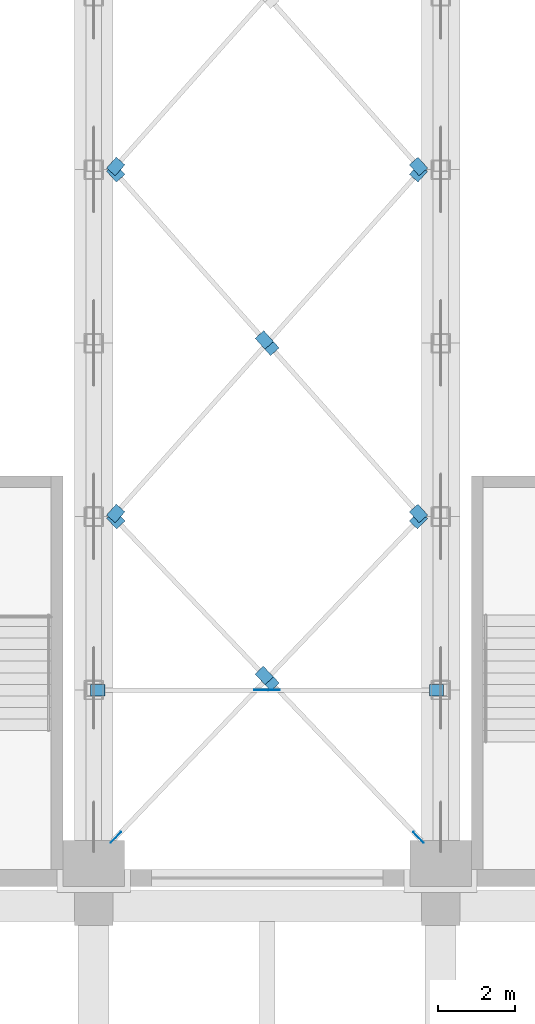
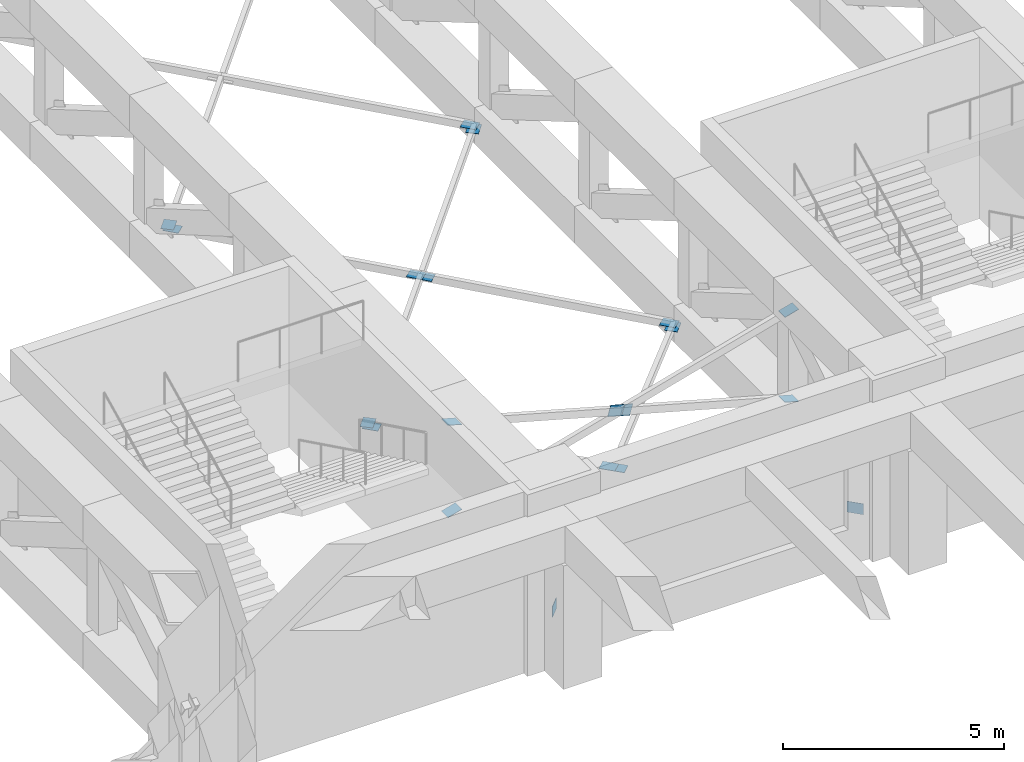
# One storey, part 59 of 76: 20 discrete accessories.
"""IFC4 building model written with IfcOpenShell, lengths in metres."""

from ifc_helpers import new_model, si_unit, direction, frame, origin, place, context, subcontext, project, spatial, polyline, outline, extrude, material, layer, layer_set, type_object, element, save


model = new_model("IFC4")

# Units and contexts
model_context = context("Model", 3, precision=1e-05, world=origin(), true_north=direction((0.0, 1.0)))
body_context = subcontext(model_context, "Body", "Model", "MODEL_VIEW")
ifc_project = project(units=[si_unit("LENGTHUNIT", "METRE"), si_unit("AREAUNIT", "SQUARE_METRE"), si_unit("VOLUMEUNIT", "CUBIC_METRE"), si_unit("PLANEANGLEUNIT", "RADIAN"), si_unit("MASSUNIT", "GRAM", prefix="KILO")], contexts=[model_context])

# Site, building, storey
site_placement = place(None, origin())
site = spatial("IfcSite", under=ifc_project, at=site_placement, CompositionType="ELEMENT")
building_placement = place(site_placement, origin())
building = spatial("IfcBuilding", under=site, at=building_placement, Name="Aravalli Gate Trade Fair Centre", CompositionType="ELEMENT")
storey_placement = place(building_placement, frame((0.0, 0.0, 10.0)))
storey = spatial("IfcBuildingStorey", under=building, at=storey_placement, Name="L02", CompositionType="ELEMENT", Elevation=10.0)

# Discrete accessories
ifc_material = material(Name="Steel E350", Category="steel")
ifc_layer = layer(ifc_material, 0.011962890625)
ifc_layer_set = layer_set([ifc_layer], Name="Steel E350")
discrete_accessory_type = type_object("IfcDiscreteAccessoryType", Name="Gusset plate 300 x 300 x 12", PredefinedType="USERDEFINED", material=ifc_layer_set)
discrete_accessory_1_placement = place(storey_placement, frame((24.70263671875, 46.8212890625, 0.35009765625), z_axis=(-0.723924035453, 0.689879693058, 0.0), x_axis=(-0.689879693058, -0.723924035453, 0.0)))
element("IfcDiscreteAccessory", 1, at=discrete_accessory_1_placement, inside=storey, type_object=discrete_accessory_type, Name="Gusset plate FT plan brace bay 3 cell 1A end A", ObjectType="GUSSET PLATE", PredefinedType="USERDEFINED", context=body_context, shape_type="SweptSolid", body=[
    extrude(outline(polyline([(0.0, 0.0), (0.3800764595457875, 0.0), (0.3800764595457875, 0.29980468750000006), (0.0, 0.29980468750000006), (0.0, 0.0)])), origin(), (0.0, 0.0, -1.0), 0.011962890625),
])
discrete_accessory_2_placement = place(storey_placement, frame((32.401611328125, 54.67919921875, 0.506103515625), z_axis=(0.0, 0.0, 1.0), x_axis=(0.689558973725, 0.72422953665, 0.0)))
element("IfcDiscreteAccessory", 2, at=discrete_accessory_2_placement, inside=storey, type_object=discrete_accessory_type, Name="Gusset plate FT plan brace bay 3 cell 1A end B", ObjectType="GUSSET PLATE", PredefinedType="USERDEFINED", context=body_context, shape_type="SweptSolid", body=[
    extrude(outline(polyline([(0.0, 0.0), (0.38025323611355255, 0.0), (0.3801836391719176, 0.2999562349519024), (0.0002755662689057359, 0.2999477704590008), (0.0, 0.0)])), origin(), (0.0, 0.0, -1.0), 0.011962890625),
])
discrete_accessory_3_placement = place(storey_placement, frame((24.598388671875, 54.67919921875, 0.506103515625), z_axis=(0.0, 0.0, 1.0), x_axis=(-0.689558973725, 0.72422953665, 0.0)))
element("IfcDiscreteAccessory", 3, at=discrete_accessory_3_placement, inside=storey, type_object=discrete_accessory_type, Name="Gusset plate FT plan brace bay 3 cell 1B half 1 end A", ObjectType="GUSSET PLATE", PredefinedType="USERDEFINED", context=body_context, shape_type="SweptSolid", body=[
    extrude(outline(polyline([(0.0, 0.0), (0.38025323611355255, 0.0), (0.3801836391719176, -0.2999562349519024), (0.0002755662689057359, -0.2999477704590008), (0.0, 0.0)])), origin(), (0.0, 0.0, -1.0), 0.011962890625),
])
discrete_accessory_4_placement = place(storey_placement, frame((28.1845703125, 50.913818359375, 0.506103515625), z_axis=(0.0, 0.0, 1.0), x_axis=(0.689542837451, -0.7242449001, 0.0)))
element("IfcDiscreteAccessory", 4, at=discrete_accessory_4_placement, inside=storey, type_object=discrete_accessory_type, Name="Gusset plate FT plan brace bay 3 cell 1B half 1 end B", ObjectType="GUSSET PLATE", PredefinedType="USERDEFINED", context=body_context, shape_type="SweptSolid", body=[
    extrude(outline(polyline([(0.0, 0.0), (0.37990807299730794, 2.7755575615628914e-17), (0.37997098680265656, 0.2999562364280967), (-0.00010543161395085154, 0.2997794188255333), (0.0, 0.0)])), origin(), (0.0, 0.0, -1.0), 0.011962890625),
])
discrete_accessory_5_placement = place(storey_placement, frame((28.598388671875, 50.479248046875, 0.506103515625), z_axis=(0.0, 0.0, 1.0), x_axis=(-0.689879693058, 0.723924035453, 0.0)))
element("IfcDiscreteAccessory", 5, at=discrete_accessory_5_placement, inside=storey, type_object=discrete_accessory_type, Name="Gusset plate FT plan brace bay 3 cell 1B half 2 end A", ObjectType="GUSSET PLATE", PredefinedType="USERDEFINED", context=body_context, shape_type="SweptSolid", body=[
    extrude(outline(polyline([(0.0, 0.0), (0.3800764595457874, -2.7755575615628914e-17), (0.38005074061082667, -0.3001246023598962), (0.00014270872447724736, -0.2999478630934282), (0.0, 0.0)])), origin(), (0.0, 0.0, -1.0), 0.011962890625),
])
discrete_accessory_6_placement = place(storey_placement, frame((32.288818359375, 46.81298828125, 0.35009765625), z_axis=(-0.7242449001, -0.689542837451, 0.0), x_axis=(0.689542837451, -0.7242449001, 0.0)))
element("IfcDiscreteAccessory", 6, at=discrete_accessory_6_placement, inside=storey, type_object=discrete_accessory_type, Name="Gusset plate FT plan brace bay 3 cell 1B half 2 end B", ObjectType="GUSSET PLATE", PredefinedType="USERDEFINED", context=body_context, shape_type="SweptSolid", body=[
    extrude(outline(polyline([(0.0, 0.0), (0.37990807299730794, 0.0), (0.37990807299730794, 0.2998046875), (0.0, 0.2998046875), (0.0, 0.0)])), origin(), (0.0, 0.0, -1.0), 0.011962890625),
])
discrete_accessory_7_placement = place(storey_placement, frame((24.811279296875, 55.12451171875, 0.506103515625), z_axis=(0.0, 0.0, 1.0), x_axis=(-0.664084476604, -0.747657547232, 0.0)))
element("IfcDiscreteAccessory", 7, at=discrete_accessory_7_placement, inside=storey, type_object=discrete_accessory_type, Name="Gusset plate FT plan brace bay 3 cell 2A end A", ObjectType="GUSSET PLATE", PredefinedType="USERDEFINED", context=body_context, shape_type="SweptSolid", body=[
    extrude(outline(polyline([(0.0, 0.0), (0.37976684369219504, 0.0), (0.3798169109426651, -0.30004644014049164), (-0.0002945963295681586, -0.30002603655879534), (0.0, 0.0)])), origin(), (0.0, 0.0, -1.0), 0.011962890625),
])
discrete_accessory_8_placement = place(storey_placement, frame((32.412841796875, 63.676025390625, 0.506103515625), z_axis=(0.0, 0.0, 1.0), x_axis=(0.664124608323, 0.747621899505, 0.0)))
element("IfcDiscreteAccessory", 8, at=discrete_accessory_8_placement, inside=storey, type_object=discrete_accessory_type, Name="Gusset plate FT plan brace bay 3 cell 2A end B", ObjectType="GUSSET PLATE", PredefinedType="USERDEFINED", context=body_context, shape_type="SweptSolid", body=[
    extrude(outline(polyline([(0.0, 0.0), (0.3801115078198438, 0.0), (0.38004533471122237, 0.3000464370207233), (0.0002784915661413201, 0.30002605193986837), (0.0, 0.0)])), origin(), (0.0, 0.0, -1.0), 0.011962890625),
])
discrete_accessory_9_placement = place(storey_placement, frame((24.587158203125, 63.676025390625, 0.506103515625), z_axis=(0.0, 0.0, 1.0), x_axis=(-0.664124608323, 0.747621899505, 0.0)))
element("IfcDiscreteAccessory", 9, at=discrete_accessory_9_placement, inside=storey, type_object=discrete_accessory_type, Name="Gusset plate FT plan brace bay 3 cell 2B half 1 end A", ObjectType="GUSSET PLATE", PredefinedType="USERDEFINED", context=body_context, shape_type="SweptSolid", body=[
    extrude(outline(polyline([(0.0, 0.0), (0.3801115078198438, 0.0), (0.38004533471122237, -0.3000464370207233), (0.0002784915661413201, -0.30002605193986837), (0.0, 0.0)])), origin(), (0.0, 0.0, -1.0), 0.011962890625),
])
discrete_accessory_10_placement = place(storey_placement, frame((28.188720703125, 59.62451171875, 0.506103515625), z_axis=(0.0, 0.0, 1.0), x_axis=(0.664084476604, -0.747657547232, 0.0)))
element("IfcDiscreteAccessory", 10, at=discrete_accessory_10_placement, inside=storey, type_object=discrete_accessory_type, Name="Gusset plate FT plan brace bay 3 cell 2B half 1 end B", ObjectType="GUSSET PLATE", PredefinedType="USERDEFINED", context=body_context, shape_type="SweptSolid", body=[
    extrude(outline(polyline([(0.0, 0.0), (0.37976684369219504, 0.0), (0.3798169109426651, 0.30004644014049164), (-0.0002945963295681586, 0.30002603655879534), (0.0, 0.0)])), origin(), (0.0, 0.0, -1.0), 0.011962890625),
])
discrete_accessory_11_placement = place(storey_placement, frame((28.587158203125, 59.176025390625, 0.506103515625), z_axis=(0.0, 0.0, 1.0), x_axis=(-0.664124608323, 0.747621899505, 0.0)))
element("IfcDiscreteAccessory", 11, at=discrete_accessory_11_placement, inside=storey, type_object=discrete_accessory_type, Name="Gusset plate FT plan brace bay 3 cell 2B half 2 end A", ObjectType="GUSSET PLATE", PredefinedType="USERDEFINED", context=body_context, shape_type="SweptSolid", body=[
    extrude(outline(polyline([(0.0, 0.0), (0.3801115078198438, 0.0), (0.38004533471122237, -0.3000464370207233), (0.0002784915661413201, -0.30002605193986837), (0.0, 0.0)])), origin(), (0.0, 0.0, -1.0), 0.011962890625),
])
discrete_accessory_12_placement = place(storey_placement, frame((32.188720703125, 55.12451171875, 0.506103515625), z_axis=(0.0, 0.0, 1.0), x_axis=(0.664084476604, -0.747657547232, 0.0)))
element("IfcDiscreteAccessory", 12, at=discrete_accessory_12_placement, inside=storey, type_object=discrete_accessory_type, Name="Gusset plate FT plan brace bay 3 cell 2B half 2 end B", ObjectType="GUSSET PLATE", PredefinedType="USERDEFINED", context=body_context, shape_type="SweptSolid", body=[
    extrude(outline(polyline([(0.0, 0.0), (0.37976684369219504, 0.0), (0.3798169109426651, 0.30004644014049164), (-0.0002945963295681586, 0.30002603655879534), (0.0, 0.0)])), origin(), (0.0, 0.0, -1.0), 0.011962890625),
])
discrete_accessory_13_placement = place(storey_placement, frame((24.811279296875, 64.12451171875, 0.506103515625), z_axis=(0.0, 0.0, 1.0), x_axis=(-0.664084476604, -0.747657547232, 0.0)))
element("IfcDiscreteAccessory", 13, at=discrete_accessory_13_placement, inside=storey, type_object=discrete_accessory_type, Name="Gusset plate FT plan brace bay 3 cell 3A end A", ObjectType="GUSSET PLATE", PredefinedType="USERDEFINED", context=body_context, shape_type="SweptSolid", body=[
    extrude(outline(polyline([(0.0, 0.0), (0.37976684369219504, 0.0), (0.3798169109426651, -0.30004644014049164), (-0.0002945963295681586, -0.30002603655879534), (0.0, 0.0)])), origin(), (0.0, 0.0, -1.0), 0.011962890625),
])
discrete_accessory_14_placement = place(storey_placement, frame((32.188720703125, 64.12451171875, 0.506103515625), z_axis=(0.0, 0.0, 1.0), x_axis=(0.664084476604, -0.747657547232, 0.0)))
element("IfcDiscreteAccessory", 14, at=discrete_accessory_14_placement, inside=storey, type_object=discrete_accessory_type, Name="Gusset plate FT plan brace bay 3 cell 3B half 2 end B", ObjectType="GUSSET PLATE", PredefinedType="USERDEFINED", context=body_context, shape_type="SweptSolid", body=[
    extrude(outline(polyline([(0.0, 0.0), (0.37976684369219504, 0.0), (0.3798169109426651, 0.30004644014049164), (-0.0002945963295681586, 0.30002603655879534), (0.0, 0.0)])), origin(), (0.0, 0.0, -1.0), 0.011962890625),
])
discrete_accessory_15_placement = place(storey_placement, frame((24.287353515625, 50.35009765625, 1.086181640625), z_axis=(-0.268008474485, 0.0, 0.963416554562), x_axis=(-0.963416554562, 0.0, -0.268008474485)))
element("IfcDiscreteAccessory", 15, at=discrete_accessory_15_placement, inside=storey, type_object=discrete_accessory_type, Name="Gusset plate FT vertical brace bay 3 frame 1A end A", ObjectType="GUSSET PLATE", PredefinedType="USERDEFINED", context=body_context, shape_type="SweptSolid", body=[
    extrude(outline(polyline([(0.0, 0.0), (0.3798635129757732, 0.0), (0.3798635129757732, -0.29980468749999994), (0.0, -0.29980468749999994), (0.0, 0.0)])), origin(), (0.0, 0.0, -1.0), 0.011962890625),
])
discrete_accessory_16_placement = place(storey_placement, frame((32.709228515625, 50.35009765625, 3.425537109375), z_axis=(-0.267246240794, 0.0, 0.963628272095), x_axis=(0.963628272095, 0.0, 0.267246240794)))
element("IfcDiscreteAccessory", 16, at=discrete_accessory_16_placement, inside=storey, type_object=discrete_accessory_type, Name="Gusset plate FT vertical brace bay 3 frame 1A end B", ObjectType="GUSSET PLATE", PredefinedType="USERDEFINED", context=body_context, shape_type="SweptSolid", body=[
    extrude(outline(polyline([(0.0, 0.0), (0.3800334092561849, 0.0), (0.3800334092561849, 0.2998046875), (0.0, 0.2998046875), (0.0, 0.0)])), origin(), (0.0, 0.0, -1.0), 0.011962890625),
])
discrete_accessory_17_placement = place(storey_placement, frame((24.290771484375, 50.35009765625, 3.425537109375), z_axis=(0.267246240794, 0.0, 0.963628272095), x_axis=(-0.963628272095, 0.0, 0.267246240794)))
element("IfcDiscreteAccessory", 17, at=discrete_accessory_17_placement, inside=storey, type_object=discrete_accessory_type, Name="Gusset plate FT vertical brace bay 3 frame 1B half 1 end A", ObjectType="GUSSET PLATE", PredefinedType="USERDEFINED", context=body_context, shape_type="SweptSolid", body=[
    extrude(outline(polyline([(0.0, 0.0), (0.3800334092561849, 0.0), (0.3800334092561849, -0.2998046875), (0.0, -0.2998046875), (0.0, 0.0)])), origin(), (0.0, 0.0, -1.0), 0.011962890625),
])
discrete_accessory_18_placement = place(storey_placement, frame((28.1708984375, 50.493896484375, 2.185791015625), z_axis=(0.0, -1.0, 0.0), x_axis=(0.963416554562, 0.0, -0.268008474485)))
element("IfcDiscreteAccessory", 18, at=discrete_accessory_18_placement, inside=storey, type_object=discrete_accessory_type, Name="Gusset plate FT vertical brace bay 3 frame 1B half 1 end B", ObjectType="GUSSET PLATE", PredefinedType="USERDEFINED", context=body_context, shape_type="SweptSolid", body=[
    extrude(outline(polyline([(0.0, 0.0), (0.3798635129757732, 0.0), (0.37977611372313164, 0.30001464568042957), (-8.73992526415901e-05, 0.30001464568042957), (0.0, 0.0)])), origin(), (0.0, 0.0, -1.0), 0.011962890625),
])
discrete_accessory_19_placement = place(storey_placement, frame((28.748779296875, 50.506103515625, 2.025146484375), z_axis=(0.0, 1.0, 0.0), x_axis=(-0.963416554562, 0.0, 0.268008474485)))
element("IfcDiscreteAccessory", 19, at=discrete_accessory_19_placement, inside=storey, type_object=discrete_accessory_type, Name="Gusset plate FT vertical brace bay 3 frame 1B half 2 end A", ObjectType="GUSSET PLATE", PredefinedType="USERDEFINED", context=body_context, shape_type="SweptSolid", body=[
    extrude(outline(polyline([(0.0, 0.0), (0.3798635129757732, 0.0), (0.3799509122284148, 0.30001464568042957), (8.73992526415901e-05, 0.30001464568042957), (0.0, 0.0)])), origin(), (0.0, 0.0, -1.0), 0.011962890625),
])
discrete_accessory_20_placement = place(storey_placement, frame((32.712646484375, 50.35009765625, 1.086181640625), z_axis=(0.268008474485, 0.0, 0.963416554562), x_axis=(0.963416554562, 0.0, -0.268008474485)))
element("IfcDiscreteAccessory", 20, at=discrete_accessory_20_placement, inside=storey, type_object=discrete_accessory_type, Name="Gusset plate FT vertical brace bay 3 frame 1B half 2 end B", ObjectType="GUSSET PLATE", PredefinedType="USERDEFINED", context=body_context, shape_type="SweptSolid", body=[
    extrude(outline(polyline([(0.0, 0.0), (0.3798635129757732, 0.0), (0.3798635129757732, 0.29980468749999994), (0.0, 0.29980468749999994), (0.0, 0.0)])), origin(), (0.0, 0.0, -1.0), 0.011962890625),
])

save(model, "model.ifc")
